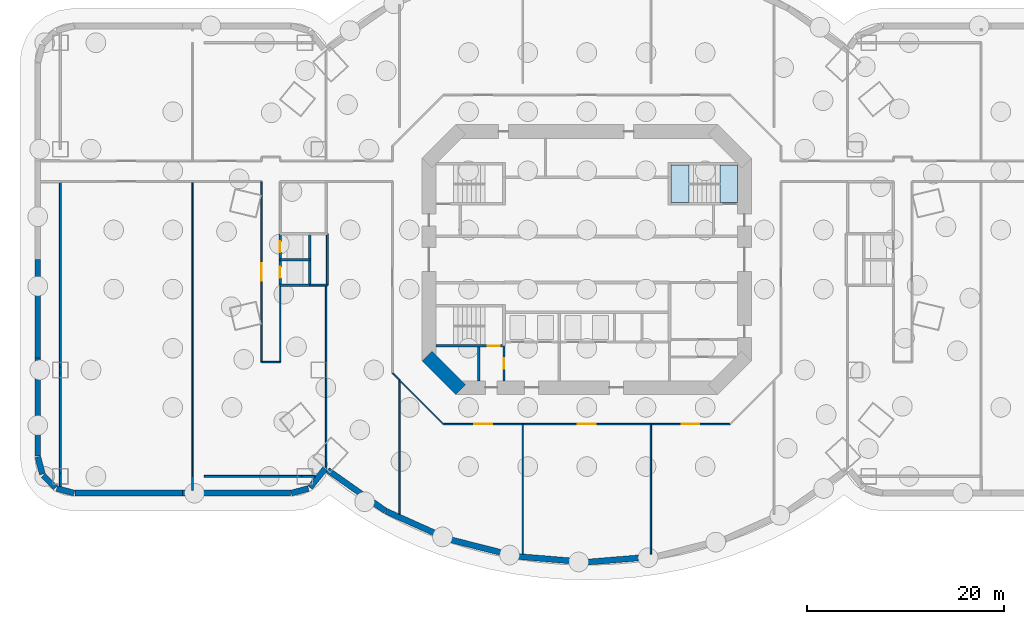
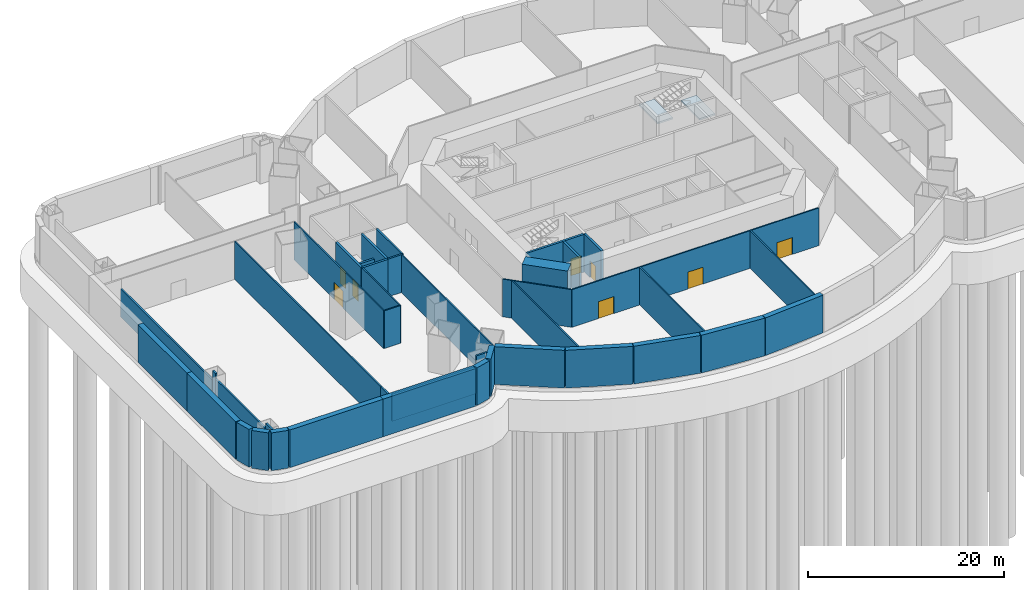
# One storey, part 2 of 9: 42 walls, 8 doors, 2 slabs, 8 openings, 1 element without a shape of its own.
"""IFC4 building model written with IfcOpenShell, lengths in metres."""

from ifc_helpers import new_model, si_unit, direction, frame, frame_2d, origin, place, context, subcontext, project, spatial, polyline, rectangle, outline, extrude, material, layer, layer_set, type_object, element, fill, aggregate, save


model = new_model("IFC4")

# Units and contexts
model_context = context("Model", 3, precision=1e-05, world=origin(), true_north=direction((0.0, 1.0)))
body_context = subcontext(model_context, "Body", "Model", "MODEL_VIEW")
ifc_project = project(units=[si_unit("LENGTHUNIT", "METRE"), si_unit("AREAUNIT", "SQUARE_METRE"), si_unit("VOLUMEUNIT", "CUBIC_METRE"), si_unit("PLANEANGLEUNIT", "RADIAN"), si_unit("MASSUNIT", "GRAM", prefix="KILO")], contexts=[model_context])

# Site, building, storey
site_placement = place(None, origin())
site = spatial("IfcSite", under=ifc_project, at=site_placement, CompositionType="ELEMENT")
building_placement = place(site_placement, origin())
building = spatial("IfcBuilding", under=site, at=building_placement, Name="Marenthal Gate Tower", CompositionType="ELEMENT")
storey_placement = place(building_placement, frame((0.0, 0.0, -10.0)))
storey = spatial("IfcBuildingStorey", under=building, at=storey_placement, Name="B2", CompositionType="ELEMENT", Elevation=-10.0)

# Stair, slabs
ifc_material_1 = material(Name="Concrete 40 MPa", Category="concrete")
stair_type = type_object("IfcStairType", Name="Exit stair 1800", PredefinedType="HALF_TURN_STAIR", material=ifc_material_1)
stair_placement = place(storey_placement, origin())
stair = element("IfcStair", 1, at=stair_placement, inside=storey, type_object=stair_type, Name="Stair ST3", PredefinedType="HALF_TURN_STAIR")
ifc_material_2 = material(Name="Concrete 40 MPa", Category="concrete")
ifc_layer_1 = layer(ifc_material_2, 0.199951171875)
ifc_layer_set_1 = layer_set([ifc_layer_1], Name="Stair landing 200")
slab_type = type_object("IfcSlabType", Name="Stair landing 200", PredefinedType="LANDING", material=ifc_layer_set_1)
slab_1_placement = place(storey_placement, frame((0.0, 0.0, 2.300048828125)))
slab_1 = element("IfcSlab", 2, at=slab_1_placement, type_object=slab_type, Name="ST3 landing 2", PredefinedType="LANDING", context=body_context, shape_type="SweptSolid", body=[
    extrude(outline(polyline([(13.5, 5.77490234375), (15.300048828125, 5.77490234375), (15.300048828125, 9.574951171875), (13.5, 9.574951171875), (13.5, 5.77490234375)])), origin(), (0.0, 0.0, 1.0), 0.199951171875),
])
slab_2_placement = place(storey_placement, frame((0.0, 0.0, 3.550048828125)))
slab_2 = element("IfcSlab", 3, at=slab_2_placement, type_object=slab_type, Name="ST3 landing 3", PredefinedType="LANDING", context=body_context, shape_type="SweptSolid", body=[
    extrude(outline(polyline([(8.550048828125, 5.77490234375), (10.35009765625, 5.77490234375), (10.35009765625, 9.574951171875), (8.550048828125, 9.574951171875), (8.550048828125, 5.77490234375)])), origin(), (0.0, 0.0, 1.0), 0.199951171875),
])
aggregate(stair, [slab_1, slab_2])

# Walls
ifc_material_3 = material(Name="Concrete 50 MPa", Category="concrete")
ifc_layer_2 = layer(ifc_material_3, 0.60009765625)
ifc_layer_set_2 = layer_set([ifc_layer_2], Name="BASEMENT WALL 600")
wall_type_1 = type_object("IfcWallType", Name="BASEMENT WALL 600", PredefinedType="SOLIDWALL", material=ifc_layer_set_2)
wall_1_placement = place(storey_placement, frame((-26.287841796875, -21.361083984375, 0.0), z_axis=(0.0, 0.0, 1.0), x_axis=(0.816760146212, -0.576977350994, 0.0)))
element("IfcWall", 4, at=wall_1_placement, inside=storey, type_object=wall_type_1, Name="BW-B2-01", PredefinedType="SOLIDWALL", context=body_context, shape_type="SweptSolid", body=[
    extrude(rectangle(XDim=7.16796875, YDim=0.60009765625, at=frame_2d((3.583984375, 0.0))), origin(), (0.0, 0.0, 1.0), 4.699951171875),
])
wall_2_placement = place(storey_placement, frame((-20.384521484375, -25.52490234375, 0.0), z_axis=(0.0, 0.0, 1.0), x_axis=(0.912664491664, -0.408709585959, 0.0)))
element("IfcWall", 5, at=wall_2_placement, inside=storey, type_object=wall_type_1, Name="BW-B2-02", PredefinedType="SOLIDWALL", context=body_context, shape_type="SweptSolid", body=[
    extrude(rectangle(XDim=6.90283203125, YDim=0.60009765625, at=frame_2d((3.451416015625, 0.0))), origin(), (0.0, 0.0, 1.0), 4.699951171875),
])
wall_3_placement = place(storey_placement, frame((-14.037353515625, -28.36279296875, 0.0), z_axis=(0.0, 0.0, 1.0), x_axis=(0.96919567172, -0.246292001332, 0.0)))
element("IfcWall", 6, at=wall_3_placement, inside=storey, type_object=wall_type_1, Name="BW-B2-03", PredefinedType="SOLIDWALL", context=body_context, shape_type="SweptSolid", body=[
    extrude(rectangle(XDim=7.061767578125, YDim=0.60009765625, at=frame_2d((3.53076171875, 0.0))), origin(), (0.0, 0.0, 1.0), 4.699951171875),
])
wall_4_placement = place(storey_placement, frame((-7.1455078125, -30.110107421875, 0.0), z_axis=(0.0, 0.0, 1.0), x_axis=(0.996609324414, -0.082279125491, 0.0)))
element("IfcWall", 7, at=wall_4_placement, inside=storey, type_object=wall_type_1, Name="BW-B2-04", PredefinedType="SOLIDWALL", context=body_context, shape_type="SweptSolid", body=[
    extrude(rectangle(XDim=7.14501953125, YDim=0.60009765625, at=frame_2d((3.572509765625, 0.0))), origin(), (0.0, 0.0, 1.0), 4.699951171875),
])
wall_5_placement = place(storey_placement, frame((0.02294921875, -30.697998046875, 0.0), z_axis=(0.0, 0.0, 1.0), x_axis=(0.99661235683, 0.082242386961, 0.0)))
element("IfcWall", 8, at=wall_5_placement, inside=storey, type_object=wall_type_1, Name="BW-B2-05", PredefinedType="SOLIDWALL", context=body_context, shape_type="SweptSolid", body=[
    extrude(rectangle(XDim=7.145263671875, YDim=0.60009765625, at=frame_2d((3.57275390625, 0.0))), origin(), (0.0, 0.0, 1.0), 4.699951171875),
])
wall_6_placement = place(storey_placement, frame((-55.699951171875, -0.00048828125, 0.0), z_axis=(0.0, 0.0, 1.0), x_axis=(0.0, -1.0, 0.0)))
element("IfcWall", 9, at=wall_6_placement, inside=storey, type_object=wall_type_1, Name="BW-B2-44", PredefinedType="SOLIDWALL", context=body_context, shape_type="SweptSolid", body=[
    extrude(rectangle(XDim=9.98974609375, YDim=0.60009765625, at=frame_2d((4.994873046875, 0.0))), origin(), (0.0, 0.0, 1.0), 4.699951171875),
])
wall_7_placement = place(storey_placement, frame((-55.699951171875, -9.99072265625, 0.0), z_axis=(0.0, 0.0, 1.0), x_axis=(0.0, -1.0, 0.0)))
element("IfcWall", 10, at=wall_7_placement, inside=storey, type_object=wall_type_1, Name="BW-B2-45", PredefinedType="SOLIDWALL", context=body_context, shape_type="SweptSolid", body=[
    extrude(rectangle(XDim=9.9501953125, YDim=0.60009765625, at=frame_2d((4.97509765625, 0.0))), origin(), (0.0, 0.0, 1.0), 4.699951171875),
])
wall_8_placement = place(storey_placement, frame((-55.690185546875, -20.0166015625, 0.0), z_axis=(0.0, 0.0, 1.0), x_axis=(0.257411521733, -0.966301872336, 0.0)))
element("IfcWall", 11, at=wall_8_placement, inside=storey, type_object=wall_type_1, Name="BW-B2-46", PredefinedType="SOLIDWALL", context=body_context, shape_type="SweptSolid", body=[
    extrude(rectangle(XDim=1.8154296875, YDim=0.60009765625, at=frame_2d((0.90771484375, 0.0))), origin(), (0.0, 0.0, 1.0), 4.699951171875),
])
wall_9_placement = place(storey_placement, frame((-55.146484375, -21.904052734375, 0.0), z_axis=(0.0, 0.0, 1.0), x_axis=(0.707037214875, -0.707176340655, 0.0)))
element("IfcWall", 12, at=wall_9_placement, inside=storey, type_object=wall_type_1, Name="BW-B2-47", PredefinedType="SOLIDWALL", context=body_context, shape_type="SweptSolid", body=[
    extrude(rectangle(XDim=1.7548828125, YDim=0.60009765625, at=frame_2d((0.87744140625, 0.0))), origin(), (0.0, 0.0, 1.0), 4.699951171875),
])
wall_10_placement = place(storey_placement, frame((-53.77294921875, -23.22216796875, 0.0), z_axis=(0.0, 0.0, 1.0), x_axis=(0.966252788837, -0.257595706611, 0.0)))
element("IfcWall", 13, at=wall_10_placement, inside=storey, type_object=wall_type_1, Name="BW-B2-48", PredefinedType="SOLIDWALL", context=body_context, shape_type="SweptSolid", body=[
    extrude(rectangle(XDim=1.81591796875, YDim=0.60009765625, at=frame_2d((0.907958984375, 0.0))), origin(), (0.0, 0.0, 1.0), 4.699951171875),
])
wall_11_placement = place(storey_placement, frame((-51.94287109375, -23.699951171875, 0.0), z_axis=(0.0, 0.0, 1.0), x_axis=(1.0, 0.0, 0.0)))
element("IfcWall", 14, at=wall_11_placement, inside=storey, type_object=wall_type_1, Name="BW-B2-49", PredefinedType="SOLIDWALL", context=body_context, shape_type="SweptSolid", body=[
    extrude(rectangle(XDim=10.94287109375, YDim=0.60009765625, at=frame_2d((5.471435546875, 0.0))), origin(), (0.0, 0.0, 1.0), 4.699951171875),
])
wall_12_placement = place(storey_placement, frame((-40.99951171875, -23.699951171875, 0.0), z_axis=(0.0, 0.0, 1.0), x_axis=(1.0, 0.0, 0.0)))
element("IfcWall", 15, at=wall_12_placement, inside=storey, type_object=wall_type_1, Name="BW-B2-50", PredefinedType="SOLIDWALL", context=body_context, shape_type="SweptSolid", body=[
    extrude(rectangle(XDim=10.9404296875, YDim=0.60009765625, at=frame_2d((5.47021484375, 0.0))), origin(), (0.0, 0.0, 1.0), 4.699951171875),
])
wall_13_placement = place(storey_placement, frame((-29.9833984375, -23.690185546875, 0.0), z_axis=(0.0, 0.0, 1.0), x_axis=(0.966298008557, 0.257426025604, 0.0)))
element("IfcWall", 16, at=wall_13_placement, inside=storey, type_object=wall_type_1, Name="BW-B2-51", PredefinedType="SOLIDWALL", context=body_context, shape_type="SweptSolid", body=[
    extrude(rectangle(XDim=1.798095703125, YDim=0.60009765625, at=frame_2d((0.89892578125, 0.0))), origin(), (0.0, 0.0, 1.0), 4.699951171875),
])
wall_14_placement = place(storey_placement, frame((-28.09130859375, -23.1279296875, 0.0), z_axis=(0.0, 0.0, 1.0), x_axis=(0.628882550207, 0.777500313856, 0.0)))
element("IfcWall", 17, at=wall_14_placement, inside=storey, type_object=wall_type_1, Name="BW-B2-52", PredefinedType="SOLIDWALL", context=body_context, shape_type="SweptSolid", body=[
    extrude(rectangle(XDim=2.44775390625, YDim=0.60009765625, at=frame_2d((1.223876953125, 0.0))), origin(), (0.0, 0.0, 1.0), 4.699951171875),
])
ifc_material_4 = material(Name="Concrete 60 MPa", Category="concrete")
ifc_layer_3 = layer(ifc_material_4, 1.39990234375)
ifc_layer_set_3 = layer_set([ifc_layer_3], Name="Core shear wall 1400")
wall_type_2 = type_object("IfcWallType", Name="Core shear wall 1400", PredefinedType="SHEAR", material=ifc_layer_set_3)
wall_15_placement = place(storey_placement, frame((-16.205078125, -9.794921875, 0.0), z_axis=(0.0, 0.0, 1.0), x_axis=(0.707106781187, -0.707106781187, 0.0)))
element("IfcWall", 18, at=wall_15_placement, inside=storey, type_object=wall_type_2, Name="Core wall 07", PredefinedType="SHEAR", context=body_context, shape_type="SweptSolid", body=[
    extrude(rectangle(XDim=4.82275390625, YDim=1.39990234375, at=frame_2d((2.411376953125, 0.0))), origin(), (0.0, 0.0, 1.0), 4.699951171875),
])
ifc_material_5 = material(Name="Concrete 40 MPa", Category="concrete")
ifc_layer_4 = layer(ifc_material_5, 0.25)
ifc_layer_set_4 = layer_set([ifc_layer_4], Name="Hoistway wall 250")
wall_type_3 = type_object("IfcWallType", Name="Hoistway wall 250", PredefinedType="STANDARD", material=ifc_layer_set_4)
wall_16_placement = place(storey_placement, frame((-31.10009765625, -2.60009765625, 0.0), z_axis=(0.0, 0.0, 1.0), x_axis=(1.0, 0.0, 0.0)))
element("IfcWall", 19, at=wall_16_placement, inside=storey, type_object=wall_type_3, Name="Hoistway wall 43", PredefinedType="STANDARD", context=body_context, shape_type="SweptSolid", body=[
    extrude(rectangle(XDim=3.0, YDim=0.25, at=frame_2d((1.5, 0.0))), origin(), (0.0, 0.0, 1.0), 4.699951171875),
])
wall_17_placement = place(storey_placement, frame((-31.10009765625, 0.0, 0.0), z_axis=(0.0, 0.0, 1.0), x_axis=(1.0, 0.0, 0.0)))
element("IfcWall", 20, at=wall_17_placement, inside=storey, type_object=wall_type_3, Name="Hoistway wall 45", PredefinedType="STANDARD", context=body_context, shape_type="SweptSolid", body=[
    extrude(rectangle(XDim=3.0, YDim=0.25, at=frame_2d((1.5, 0.0))), origin(), (0.0, 0.0, 1.0), 3.199951171875),
])
wall_18_placement = place(storey_placement, frame((-28.10009765625, -2.60009765625, 0.0), z_axis=(0.0, 0.0, 1.0), x_axis=(0.0, 1.0, 0.0)))
element("IfcWall", 21, at=wall_18_placement, inside=storey, type_object=wall_type_3, Name="Hoistway wall 51", PredefinedType="STANDARD", context=body_context, shape_type="SweptSolid", body=[
    extrude(rectangle(XDim=5.2001953125, YDim=0.25, at=frame_2d((2.60009765625, 0.0))), origin(), (0.0, 0.0, 1.0), 4.699951171875),
])

# Wall, openings, doors
wall_19_placement = place(storey_placement, frame((-31.10009765625, -2.60498046875, 0.0), z_axis=(0.0, 0.0, 1.0), x_axis=(0.0, 1.0, 0.0)))
wall_19 = element("IfcWall", 22, at=wall_19_placement, inside=storey, type_object=wall_type_3, Name="Hoistway wall 52", PredefinedType="STANDARD", context=body_context, shape_type="SweptSolid", body=[
    extrude(rectangle(XDim=5.2099609375, YDim=0.25, at=frame_2d((2.60498046875, 0.0))), origin(), (0.0, 0.0, 1.0), 4.699951171875),
])
opening_1_placement = place(wall_19_placement, frame((0.7548828125, 0.0, 0.0)))
opening_1 = element("IfcOpeningElement", 23, at=opening_1_placement, cuts=wall_19, Name="Opening LD.03", PredefinedType="OPENING", context=body_context, shape_type="SweptSolid", body=[
    extrude(rectangle(XDim=1.10009765625, YDim=2.10009765625, at=frame_2d((0.550048828125, 1.050048828125))), frame((0.0, 0.135009765625, 0.0), z_axis=(0.0, -1.0, 0.0), x_axis=(1.0, 0.0, 0.0)), (0.0, 0.0, 1.0), 0.27001953125),
])
opening_2_placement = place(wall_19_placement, frame((3.35498046875, 0.0, 0.0)))
opening_2 = element("IfcOpeningElement", 24, at=opening_2_placement, cuts=wall_19, Name="Opening LD.04", PredefinedType="OPENING", context=body_context, shape_type="SweptSolid", body=[
    extrude(rectangle(XDim=1.10009765625, YDim=2.10009765625, at=frame_2d((0.550048828125, 1.050048828125))), frame((0.0, 0.135009765625, 0.0), z_axis=(0.0, -1.0, 0.0), x_axis=(1.0, 0.0, 0.0)), (0.0, 0.0, 1.0), 0.27001953125),
])
ifc_material_6 = material(Name="Stainless steel sliding door", Category="steel")
door_type_1 = type_object("IfcDoorType", Name="Lift landing door FD 90 1100 x 2100", OperationType="DOUBLE_DOOR_SLIDING", PredefinedType="DOOR", material=ifc_material_6)
door_1_placement = place(opening_1_placement, origin())
door_1 = element("IfcDoor", 25, at=door_1_placement, inside=storey, type_object=door_type_1, Name="Lift landing door 03", OperationType="DOUBLE_DOOR_SLIDING", OverallHeight=2.10009765625, OverallWidth=1.10009765625, PredefinedType="DOOR", context=body_context, shape_type="SweptSolid", body=[
    extrude(rectangle(XDim=1.10009765625, YDim=2.10009765625, at=frame_2d((0.550048828125, 1.050048828125))), frame((0.0, 0.02490234375, 0.0), z_axis=(0.0, -1.0, 0.0), x_axis=(1.0, 0.0, 0.0)), (0.0, 0.0, 1.0), 0.050048828125),
])
fill(opening_1, door_1)
door_2_placement = place(opening_2_placement, origin())
door_2 = element("IfcDoor", 26, at=door_2_placement, inside=storey, type_object=door_type_1, Name="Lift landing door 04", OperationType="DOUBLE_DOOR_SLIDING", OverallHeight=2.10009765625, OverallWidth=1.10009765625, PredefinedType="DOOR", context=body_context, shape_type="SweptSolid", body=[
    extrude(rectangle(XDim=1.10009765625, YDim=2.10009765625, at=frame_2d((0.550048828125, 1.050048828125))), frame((0.0, 0.02490234375, 0.0), z_axis=(0.0, -1.0, 0.0), x_axis=(1.0, 0.0, 0.0)), (0.0, 0.0, 1.0), 0.050048828125),
])
fill(opening_2, door_2)

# Walls
ifc_material_7 = material(Name="Gypsum board on steel studs", Category="steel")
ifc_layer_5 = layer(ifc_material_7, 0.14990234375)
ifc_layer_set_5 = layer_set([ifc_layer_5], Name="Partition 150")
wall_type_4 = type_object("IfcWallType", Name="Partition 150", PredefinedType="PARTITIONING", material=ifc_layer_set_5)
wall_20_placement = place(storey_placement, frame((-19.0, -25.835205078125, 0.0), z_axis=(0.0, 0.0, 1.0), x_axis=(0.0, 1.0, 0.0)))
element("IfcWall", 27, at=wall_20_placement, inside=storey, type_object=wall_type_4, Name="Partition wall 73", PredefinedType="PARTITIONING", context=body_context, shape_type="SweptSolid", body=[
    extrude(rectangle(XDim=13.602783203125, YDim=0.14990234375, at=frame_2d((6.80126953125, 0.0))), origin(), (0.0, 0.0, 1.0), 4.699951171875),
])
wall_21_placement = place(storey_placement, frame((-26.449951171875, -21.222412109375, 0.0), z_axis=(0.0, 0.0, 1.0), x_axis=(0.0, 1.0, 0.0)))
element("IfcWall", 28, at=wall_21_placement, inside=storey, type_object=wall_type_4, Name="Partition wall 77", PredefinedType="PARTITIONING", context=body_context, shape_type="SweptSolid", body=[
    extrude(rectangle(XDim=18.622314453125, YDim=0.14990234375, at=frame_2d((9.31103515625, 0.0))), origin(), (0.0, 0.0, 1.0), 4.699951171875),
])
wall_22_placement = place(storey_placement, frame((-18.9951171875, -12.237548828125, 0.0), z_axis=(0.0, 0.0, 1.0), x_axis=(-0.706984327855, 0.707229213316, 0.0)))
element("IfcWall", 29, at=wall_22_placement, inside=storey, type_object=wall_type_4, Name="Partition wall 80", PredefinedType="PARTITIONING", context=body_context, shape_type="SweptSolid", body=[
    extrude(rectangle(XDim=0.9970703125, YDim=0.14990234375, at=frame_2d((0.49853515625, 0.0))), origin(), (0.0, 0.0, 1.0), 4.699951171875),
])

# Wall, openings, doors
wall_23_placement = place(storey_placement, frame((-14.532470703125, -16.699951171875, 0.0), z_axis=(0.0, 0.0, 1.0), x_axis=(1.0, 0.0, 0.0)))
wall_23 = element("IfcWall", 30, at=wall_23_placement, inside=storey, type_object=wall_type_4, Name="Partition wall 81", PredefinedType="PARTITIONING", context=body_context, shape_type="SweptSolid", body=[
    extrude(rectangle(XDim=29.06494140625, YDim=0.14990234375, at=frame_2d((14.532470703125, 0.0))), origin(), (0.0, 0.0, 1.0), 4.699951171875),
])
opening_3_placement = place(wall_23_placement, frame((3.1162109375, 0.0, 0.0)))
opening_3 = element("IfcOpeningElement", 31, at=opening_3_placement, cuts=wall_23, Name="Opening D007.03", PredefinedType="OPENING", context=body_context, shape_type="SweptSolid", body=[
    extrude(rectangle(XDim=1.800048828125, YDim=2.10009765625, at=frame_2d((0.89990234375, 1.050048828125))), frame((0.0, 0.0849609375, 0.0), z_axis=(0.0, -1.0, 0.0), x_axis=(1.0, 0.0, 0.0)), (0.0, 0.0, 1.0), 0.169921875),
])
opening_4_placement = place(wall_23_placement, frame((13.632568359375, 0.0, 0.0)))
opening_4 = element("IfcOpeningElement", 32, at=opening_4_placement, cuts=wall_23, Name="Opening D007.04", PredefinedType="OPENING", context=body_context, shape_type="SweptSolid", body=[
    extrude(rectangle(XDim=1.800048828125, YDim=2.10009765625, at=frame_2d((0.89990234375, 1.050048828125))), frame((0.0, 0.0849609375, 0.0), z_axis=(0.0, -1.0, 0.0), x_axis=(1.0, 0.0, 0.0)), (0.0, 0.0, 1.0), 0.169921875),
])
opening_5_placement = place(wall_23_placement, frame((24.148681640625, 0.0, 0.0)))
opening_5 = element("IfcOpeningElement", 33, at=opening_5_placement, cuts=wall_23, Name="Opening D007.05", PredefinedType="OPENING", context=body_context, shape_type="SweptSolid", body=[
    extrude(rectangle(XDim=1.800048828125, YDim=2.10009765625, at=frame_2d((0.89990234375, 1.050048828125))), frame((0.0, 0.0849609375, 0.0), z_axis=(0.0, -1.0, 0.0), x_axis=(1.0, 0.0, 0.0)), (0.0, 0.0, 1.0), 0.169921875),
])
ifc_material_8 = material(Name="Steel fire door", Category="steel")
door_type_2 = type_object("IfcDoorType", Name="Double fire door FD 45 1800 x 2100", OperationType="DOUBLE_DOOR_SINGLE_SWING", PredefinedType="DOOR", material=ifc_material_8)
door_3_placement = place(opening_3_placement, origin())
door_3 = element("IfcDoor", 34, at=door_3_placement, inside=storey, type_object=door_type_2, Name="Door D007.03", OperationType="DOUBLE_DOOR_SINGLE_SWING", OverallHeight=2.10009765625, OverallWidth=1.800048828125, PredefinedType="DOOR", context=body_context, shape_type="SweptSolid", body=[
    extrude(rectangle(XDim=1.800048828125, YDim=2.10009765625, at=frame_2d((0.89990234375, 1.050048828125))), frame((0.0, 0.02490234375, 0.0), z_axis=(0.0, -1.0, 0.0), x_axis=(1.0, 0.0, 0.0)), (0.0, 0.0, 1.0), 0.050048828125),
])
fill(opening_3, door_3)
door_4_placement = place(opening_4_placement, origin())
door_4 = element("IfcDoor", 35, at=door_4_placement, inside=storey, type_object=door_type_2, Name="Door D007.04", OperationType="DOUBLE_DOOR_SINGLE_SWING", OverallHeight=2.10009765625, OverallWidth=1.800048828125, PredefinedType="DOOR", context=body_context, shape_type="SweptSolid", body=[
    extrude(rectangle(XDim=1.800048828125, YDim=2.10009765625, at=frame_2d((0.89990234375, 1.050048828125))), frame((0.0, 0.02490234375, 0.0), z_axis=(0.0, -1.0, 0.0), x_axis=(1.0, 0.0, 0.0)), (0.0, 0.0, 1.0), 0.050048828125),
])
fill(opening_4, door_4)
door_5_placement = place(opening_5_placement, origin())
door_5 = element("IfcDoor", 36, at=door_5_placement, inside=storey, type_object=door_type_2, Name="Door D007.05", OperationType="DOUBLE_DOOR_SINGLE_SWING", OverallHeight=2.10009765625, OverallWidth=1.800048828125, PredefinedType="DOOR", context=body_context, shape_type="SweptSolid", body=[
    extrude(rectangle(XDim=1.800048828125, YDim=2.10009765625, at=frame_2d((0.89990234375, 1.050048828125))), frame((0.0, 0.02490234375, 0.0), z_axis=(0.0, -1.0, 0.0), x_axis=(1.0, 0.0, 0.0)), (0.0, 0.0, 1.0), 0.050048828125),
])
fill(opening_5, door_5)

# Walls
wall_24_placement = place(storey_placement, frame((-33.0, -10.39990234375, 0.0), z_axis=(0.0, 0.0, 1.0), x_axis=(1.0, 0.0, 0.0)))
element("IfcWall", 37, at=wall_24_placement, inside=storey, type_object=wall_type_4, Name="Partition wall 82", PredefinedType="PARTITIONING", context=body_context, shape_type="SweptSolid", body=[
    extrude(rectangle(XDim=1.89990234375, YDim=0.14990234375, at=frame_2d((0.949951171875, 0.0))), origin(), (0.0, 0.0, 1.0), 4.699951171875),
])
for number, where, z_axis, x_axis, name in (
    (38, (6.5, -29.87109375, 0.0), (0.0, 0.0, 1.0), (0.0, 1.0, 0.0), "Partition wall 95"),
    (39, (-6.5, -29.87109375, 0.0), (0.0, 0.0, 1.0), (0.0, 1.0, 0.0), "Partition wall 96"),
):
    element("IfcWall", number, at=place(storey_placement, frame(where, z_axis=z_axis, x_axis=x_axis)), inside=storey, type_object=wall_type_4, Name=name, PredefinedType="PARTITIONING", context=body_context, shape_type="SweptSolid", body=[
        extrude(rectangle(XDim=13.171142578125, YDim=0.14990234375, at=frame_2d((6.58544921875, 0.0))), origin(), (0.0, 0.0, 1.0), 4.699951171875),
    ])
wall_25_placement = place(storey_placement, frame((-31.10009765625, -10.39990234375, 0.0), z_axis=(0.0, 0.0, 1.0), x_axis=(0.0, 1.0, 0.0)))
element("IfcWall", 40, at=wall_25_placement, inside=storey, type_object=wall_type_4, Name="Partition wall 98", PredefinedType="PARTITIONING", context=body_context, shape_type="SweptSolid", body=[
    extrude(rectangle(XDim=7.804931640625, YDim=0.14990234375, at=frame_2d((3.90234375, 0.0))), origin(), (0.0, 0.0, 1.0), 4.699951171875),
])

# Wall, opening, door
wall_26_placement = place(storey_placement, frame((-33.0, -10.39990234375, 0.0), z_axis=(0.0, 0.0, 1.0), x_axis=(0.0, 1.0, 0.0)))
wall_26 = element("IfcWall", 41, at=wall_26_placement, inside=storey, type_object=wall_type_4, Name="Partition wall 00", PredefinedType="PARTITIONING", context=body_context, shape_type="SweptSolid", body=[
    extrude(rectangle(XDim=18.304931640625, YDim=0.14990234375, at=frame_2d((9.15234375, 0.0))), origin(), (0.0, 0.0, 1.0), 4.699951171875),
])
opening_6_placement = place(wall_26_placement, frame((8.25, 0.0, 0.0)))
opening_6 = element("IfcOpeningElement", 42, at=opening_6_placement, cuts=wall_26, Name="Opening D007.02", PredefinedType="OPENING", context=body_context, shape_type="SweptSolid", body=[
    extrude(rectangle(XDim=1.800048828125, YDim=2.10009765625, at=frame_2d((0.89990234375, 1.050048828125))), frame((0.0, 0.0849609375, 0.0), z_axis=(0.0, -1.0, 0.0), x_axis=(1.0, 0.0, 0.0)), (0.0, 0.0, 1.0), 0.169921875),
])
door_6_placement = place(opening_6_placement, origin())
door_6 = element("IfcDoor", 43, at=door_6_placement, inside=storey, type_object=door_type_2, Name="Door D007.02", OperationType="DOUBLE_DOOR_SINGLE_SWING", OverallHeight=2.10009765625, OverallWidth=1.800048828125, PredefinedType="DOOR", context=body_context, shape_type="SweptSolid", body=[
    extrude(rectangle(XDim=1.800048828125, YDim=2.10009765625, at=frame_2d((0.89990234375, 1.050048828125))), frame((0.0, 0.02490234375, 0.0), z_axis=(0.0, -1.0, 0.0), x_axis=(1.0, 0.0, 0.0)), (0.0, 0.0, 1.0), 0.050048828125),
])
fill(opening_6, door_6)

# Walls
wall_27_placement = place(storey_placement, frame((-40.0, -22.0048828125, 0.0), z_axis=(0.0, 0.0, 1.0), x_axis=(0.0, 1.0, 0.0)))
element("IfcWall", 44, at=wall_27_placement, inside=storey, type_object=wall_type_4, Name="Partition wall 02", PredefinedType="PARTITIONING", context=body_context, shape_type="SweptSolid", body=[
    extrude(rectangle(XDim=29.90478515625, YDim=0.14990234375, at=frame_2d((14.952392578125, 0.0))), origin(), (0.0, 0.0, 1.0), 4.699951171875),
])
wall_28_placement = place(storey_placement, frame((-14.532470703125, -16.699951171875, 0.0), z_axis=(0.0, 0.0, 1.0), x_axis=(-0.707106781187, 0.707106781187, 0.0)))
element("IfcWall", 45, at=wall_28_placement, inside=storey, type_object=wall_type_4, Name="Partition wall 04", PredefinedType="PARTITIONING", context=body_context, shape_type="SweptSolid", body=[
    extrude(rectangle(XDim=6.32275390625, YDim=0.14990234375, at=frame_2d((3.161376953125, 0.0))), origin(), (0.0, 0.0, 1.0), 4.699951171875),
])
ifc_material_9 = material(Name="Gypsum board on steel studs", Category="steel")
ifc_layer_6 = layer(ifc_material_9, 0.199951171875)
ifc_layer_set_6 = layer_set([ifc_layer_6], Name="Partition 200")
wall_type_5 = type_object("IfcWallType", Name="Partition 200", PredefinedType="PARTITIONING", material=ifc_layer_set_6)
wall_29_placement = place(storey_placement, frame((-38.800048828125, -22.0, 0.0), z_axis=(0.0, 0.0, 1.0), x_axis=(1.0, 0.0, 0.0)))
element("IfcWall", 46, at=wall_29_placement, inside=storey, type_object=wall_type_5, Name="Partition wall 05", PredefinedType="PARTITIONING", context=body_context, shape_type="SweptSolid", body=[
    extrude(rectangle(XDim=9.900146484375, YDim=0.199951171875, at=frame_2d((4.9501953125, 0.0))), origin(), (0.0, 0.0, 1.0), 3.39990234375),
])
wall_30_placement = place(storey_placement, frame((-28.89990234375, -22.0, 0.0), z_axis=(0.0, 0.0, 1.0), x_axis=(1.0, 0.0, 0.0)))
element("IfcWall", 47, at=wall_30_placement, inside=storey, type_object=wall_type_5, Name="Partition wall 133", PredefinedType="PARTITIONING", context=body_context, shape_type="SweptSolid", body=[
    extrude(rectangle(XDim=1.327880859375, YDim=0.199951171875, at=frame_2d((0.6640625, 0.0))), origin(), (0.0, 0.0, 1.0), 4.699951171875),
])
wall_31_placement = place(storey_placement, frame((-28.10009765625, -2.60009765625, 0.0), z_axis=(0.0, 0.0, 1.0), x_axis=(1.0, 0.0, 0.0)))
element("IfcWall", 48, at=wall_31_placement, inside=storey, type_object=wall_type_5, Name="Partition wall 07", PredefinedType="PARTITIONING", context=body_context, shape_type="SweptSolid", body=[
    extrude(rectangle(XDim=1.77001953125, YDim=0.199951171875, at=frame_2d((0.885009765625, 0.0))), origin(), (0.0, 0.0, 1.0), 4.699951171875),
])
wall_32_placement = place(storey_placement, frame((-26.330078125, -2.60009765625, 0.0), z_axis=(0.0, 0.0, 1.0), x_axis=(0.0, 1.0, 0.0)))
element("IfcWall", 49, at=wall_32_placement, inside=storey, type_object=wall_type_5, Name="Partition wall 26", PredefinedType="PARTITIONING", context=body_context, shape_type="SweptSolid", body=[
    extrude(rectangle(XDim=5.2001953125, YDim=0.199951171875, at=frame_2d((2.60009765625, 0.0))), origin(), (0.0, 0.0, 1.0), 4.699951171875),
])
wall_33_placement = place(storey_placement, frame((-40.0, -23.409912109375, 0.0), z_axis=(0.0, 0.0, 1.0), x_axis=(0.0, 1.0, 0.0)))
element("IfcWall", 50, at=wall_33_placement, inside=storey, type_object=wall_type_5, Name="Partition wall 29", PredefinedType="PARTITIONING", context=body_context, shape_type="SweptSolid", body=[
    extrude(rectangle(XDim=1.414794921875, YDim=0.199951171875, at=frame_2d((0.70751953125, 0.0))), origin(), (0.0, 0.0, 1.0), 4.699951171875),
])
wall_34_placement = place(storey_placement, frame((-53.39990234375, -23.015380859375, 0.0), z_axis=(0.0, 0.0, 1.0), x_axis=(0.0, 1.0, 0.0)))
element("IfcWall", 51, at=wall_34_placement, inside=storey, type_object=wall_type_5, Name="Partition wall 31", PredefinedType="PARTITIONING", context=body_context, shape_type="SweptSolid", body=[
    extrude(rectangle(XDim=1.3154296875, YDim=0.199951171875, at=frame_2d((0.65771484375, 0.0))), origin(), (0.0, 0.0, 1.0), 4.699951171875),
])
wall_35_placement = place(storey_placement, frame((-53.39990234375, -21.699951171875, 0.0), z_axis=(0.0, 0.0, 1.0), x_axis=(0.0, 1.0, 0.0)))
element("IfcWall", 52, at=wall_35_placement, inside=storey, type_object=wall_type_5, Name="Partition wall 142", PredefinedType="PARTITIONING", context=body_context, shape_type="SweptSolid", body=[
    extrude(rectangle(XDim=10.199951171875, YDim=0.199951171875, at=frame_2d((5.10009765625, 0.0))), origin(), (0.0, 0.0, 1.0), 4.01708984375),
])
wall_36_placement = place(storey_placement, frame((-53.39990234375, -11.5, 0.0), z_axis=(0.0, 0.0, 1.0), x_axis=(0.0, 1.0, 0.0)))
element("IfcWall", 53, at=wall_36_placement, inside=storey, type_object=wall_type_5, Name="Partition wall 143", PredefinedType="PARTITIONING", context=body_context, shape_type="SweptSolid", body=[
    extrude(rectangle(XDim=0.60009765625, YDim=0.199951171875, at=frame_2d((0.300048828125, 0.0))), origin(), (0.0, 0.0, 1.0), 4.699951171875),
])
wall_37_placement = place(storey_placement, frame((-53.39990234375, -10.89990234375, 0.0), z_axis=(0.0, 0.0, 1.0), x_axis=(0.0, 1.0, 0.0)))
element("IfcWall", 54, at=wall_37_placement, inside=storey, type_object=wall_type_5, Name="Partition wall 144", PredefinedType="PARTITIONING", context=body_context, shape_type="SweptSolid", body=[
    extrude(rectangle(XDim=18.7998046875, YDim=0.199951171875, at=frame_2d((9.39990234375, 0.0))), origin(), (0.0, 0.0, 1.0), 3.5),
])
ifc_material_10 = material(Name="Concrete 40 MPa", Category="concrete")
ifc_layer_7 = layer(ifc_material_10, 0.25)
ifc_layer_set_7 = layer_set([ifc_layer_7], Name="Stair enclosure wall 250")
wall_type_6 = type_object("IfcWallType", Name="Stair enclosure wall 250", PredefinedType="STANDARD", material=ifc_layer_set_7)
wall_38_placement = place(storey_placement, frame((-10.949951171875, -12.300048828125, 0.0), z_axis=(0.0, 0.0, 1.0), x_axis=(0.0, 1.0, 0.0)))
element("IfcWall", 55, at=wall_38_placement, inside=storey, type_object=wall_type_6, Name="Stair wall 28", PredefinedType="STANDARD", context=body_context, shape_type="SweptSolid", body=[
    extrude(rectangle(XDim=3.425048828125, YDim=0.25, at=frame_2d((1.71240234375, 0.0))), origin(), (0.0, 0.0, 1.0), 4.699951171875),
])

# Wall, opening, door
wall_39_placement = place(storey_placement, frame((-8.39990234375, -12.300048828125, 0.0), z_axis=(0.0, 0.0, 1.0), x_axis=(0.0, 1.0, 0.0)))
wall_39 = element("IfcWall", 56, at=wall_39_placement, inside=storey, type_object=wall_type_6, Name="Stair wall 29", PredefinedType="STANDARD", context=body_context, shape_type="SweptSolid", body=[
    extrude(rectangle(XDim=3.550048828125, YDim=0.25, at=frame_2d((1.77490234375, 0.0))), origin(), (0.0, 0.0, 1.0), 4.699951171875),
])
opening_7_placement = place(wall_39_placement, frame((1.199951171875, 0.0, 0.0)))
opening_7 = element("IfcOpeningElement", 57, at=opening_7_placement, cuts=wall_39, Name="Opening D002.01", PredefinedType="OPENING", context=body_context, shape_type="SweptSolid", body=[
    extrude(rectangle(XDim=1.10009765625, YDim=2.10009765625, at=frame_2d((0.550048828125, 1.050048828125))), frame((0.0, 0.135009765625, 0.0), z_axis=(0.0, -1.0, 0.0), x_axis=(1.0, 0.0, 0.0)), (0.0, 0.0, 1.0), 0.27001953125),
])
ifc_material_11 = material(Name="Steel fire door", Category="steel")
door_type_3 = type_object("IfcDoorType", Name="Fire door FD 90 1100 x 2100", OperationType="NOTDEFINED", PredefinedType="DOOR", material=ifc_material_11)
door_7_placement = place(opening_7_placement, origin())
door_7 = element("IfcDoor", 58, at=door_7_placement, inside=storey, type_object=door_type_3, Name="Door D002.01", OperationType="SINGLE_SWING_RIGHT", OverallHeight=2.10009765625, OverallWidth=1.10009765625, PredefinedType="DOOR", context=body_context, shape_type="SweptSolid", body=[
    extrude(rectangle(XDim=1.10009765625, YDim=2.10009765625, at=frame_2d((0.550048828125, 1.050048828125))), frame((0.0, 0.02490234375, 0.0), z_axis=(0.0, -1.0, 0.0), x_axis=(1.0, 0.0, 0.0)), (0.0, 0.0, 1.0), 0.050048828125),
])
fill(opening_7, door_7)

ifc_material_12 = material(Name="Concrete 50 MPa", Category="concrete")
ifc_layer_8 = layer(ifc_material_12, 0.25)
ifc_layer_set_8 = layer_set([ifc_layer_8], Name="Stair shear wall 250")
wall_type_7 = type_object("IfcWallType", Name="Stair shear wall 250", PredefinedType="SHEAR", material=ifc_layer_set_8)
wall_40_placement = place(storey_placement, frame((-15.300048828125, -8.75, 0.0), z_axis=(0.0, 0.0, 1.0), x_axis=(1.0, 0.0, 0.0)))
wall_40 = element("IfcWall", 59, at=wall_40_placement, inside=storey, type_object=wall_type_7, Name="Stair wall 10", PredefinedType="SHEAR", context=body_context, shape_type="SweptSolid", body=[
    extrude(rectangle(XDim=6.75, YDim=0.25, at=frame_2d((3.375, 0.0))), origin(), (0.0, 0.0, 1.0), 4.699951171875),
])
opening_8_placement = place(wall_40_placement, frame((5.25, 0.0, 0.0)))
opening_8 = element("IfcOpeningElement", 60, at=opening_8_placement, cuts=wall_40, Name="Opening D001.03", PredefinedType="OPENING", context=body_context, shape_type="SweptSolid", body=[
    extrude(rectangle(XDim=1.199951171875, YDim=2.10009765625, at=frame_2d((0.60009765625, 1.050048828125))), frame((0.0, 0.135009765625, 0.0), z_axis=(0.0, -1.0, 0.0), x_axis=(1.0, 0.0, 0.0)), (0.0, 0.0, 1.0), 0.27001953125),
])
ifc_material_13 = material(Name="Steel fire door", Category="steel")
door_type_4 = type_object("IfcDoorType", Name="Fire door FD 90 1200 x 2100", OperationType="NOTDEFINED", PredefinedType="DOOR", material=ifc_material_13)
door_8_placement = place(opening_8_placement, origin())
door_8 = element("IfcDoor", 61, at=door_8_placement, inside=storey, type_object=door_type_4, Name="Door D001.03", OperationType="SINGLE_SWING_RIGHT", OverallHeight=2.10009765625, OverallWidth=1.199951171875, PredefinedType="DOOR", context=body_context, shape_type="SweptSolid", body=[
    extrude(rectangle(XDim=1.199951171875, YDim=2.10009765625, at=frame_2d((0.60009765625, 1.050048828125))), frame((0.0, 0.02490234375, 0.0), z_axis=(0.0, -1.0, 0.0), x_axis=(1.0, 0.0, 0.0)), (0.0, 0.0, 1.0), 0.050048828125),
])
fill(opening_8, door_8)

save(model, "model.ifc")
